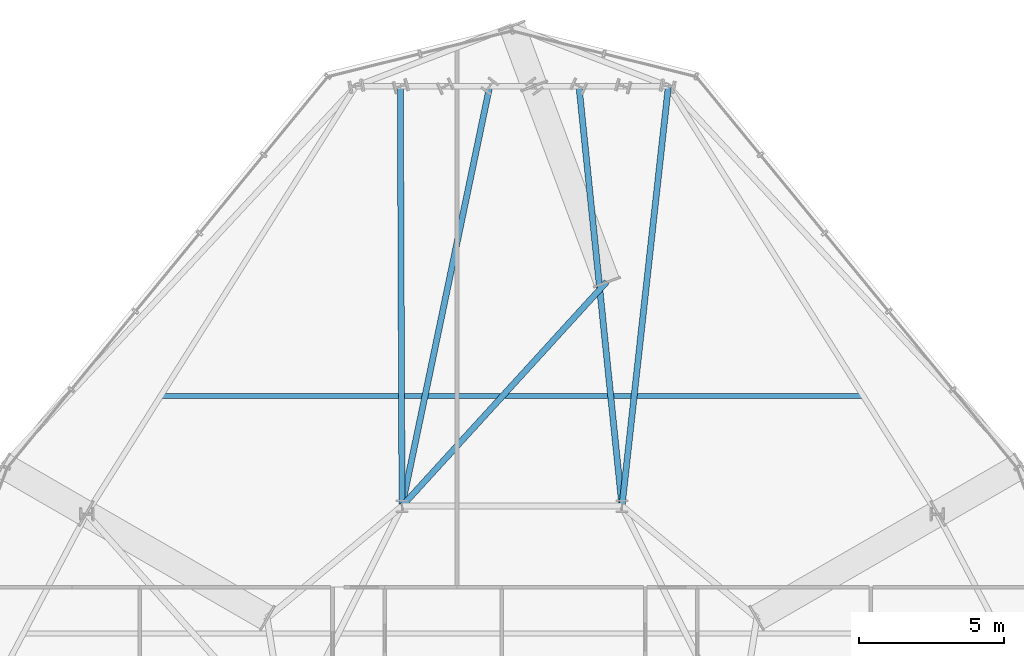
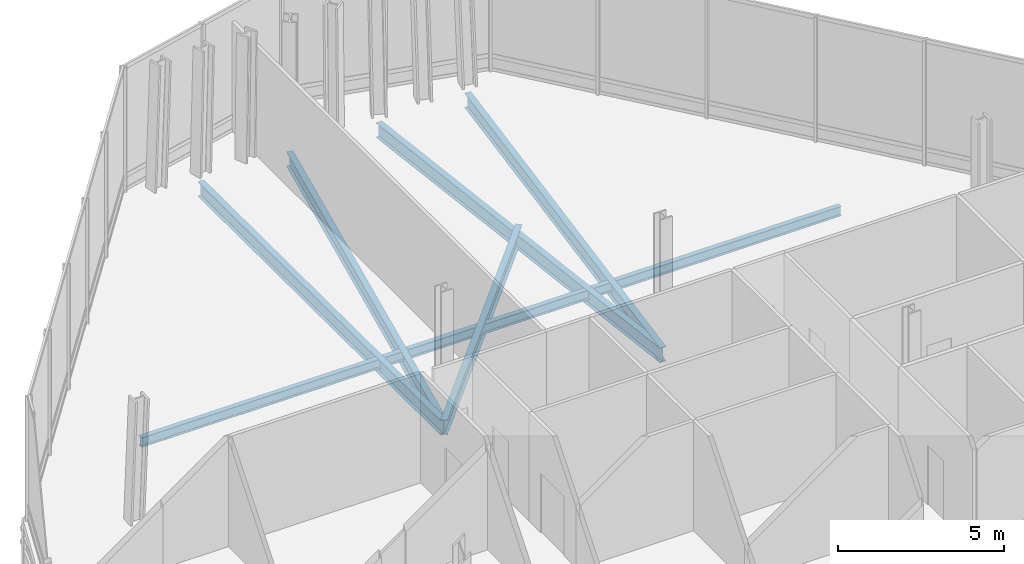
# One storey, part 16 of 26: 6 beams.
"""IFC4 building model written with IfcOpenShell, lengths in metres."""

from ifc_helpers import new_model, si_unit, direction, frame, origin, origin_2d, place, context, subcontext, project, spatial, i_section, extrude, material, material_profile, profile_set, type_object, element, save


model = new_model("IFC4")

# Units and contexts
model_context = context("Model", 3, precision=1e-05, world=origin(), true_north=direction((0.0, 1.0)))
body_context = subcontext(model_context, "Body", "Model", "MODEL_VIEW")
ifc_project = project(units=[si_unit("LENGTHUNIT", "METRE"), si_unit("AREAUNIT", "SQUARE_METRE"), si_unit("VOLUMEUNIT", "CUBIC_METRE"), si_unit("PLANEANGLEUNIT", "RADIAN"), si_unit("MASSUNIT", "GRAM", prefix="KILO")], contexts=[model_context])

# Site, building, storey
site_placement = place(None, origin())
site = spatial("IfcSite", under=ifc_project, at=site_placement, CompositionType="ELEMENT")
building_placement = place(site_placement, origin())
building = spatial("IfcBuilding", under=site, at=building_placement, Name="Ndaravel Arena Tower", CompositionType="ELEMENT")
storey_placement = place(building_placement, frame((0.0, 0.0, 122.199951171875)))
storey = spatial("IfcBuildingStorey", under=building, at=storey_placement, Name="L28", CompositionType="ELEMENT", Elevation=122.199951171875)

# Beams
ifc_material_1 = material(Name="Steel S355", Category="steel")
ifc_material_profile_1 = material_profile(ifc_material_1, i_section(OverallWidth=0.210693359375, OverallDepth=0.53955078125, WebThickness=0.01171875, FlangeThickness=0.018798828125, FilletRadius=0.0126953125, at=origin_2d()), Name="UB 533x210x109")
ifc_profile_set_1 = profile_set([ifc_material_profile_1], Name="Steel S355")
beam_type_1 = type_object("IfcBeamType", Name="BM-GIRD-UB533", PredefinedType="BEAM", material=ifc_profile_set_1)
beam_1_placement = place(storey_placement, frame((47.401611328125, 45.7041015625, -0.5498046875), z_axis=(-0.1097539039, -0.993958792193, 0.0), x_axis=(0.993958792193, -0.1097539039, 0.0)))
element("IfcBeam", 1, at=beam_1_placement, inside=storey, type_object=beam_type_1, Name="L28 Radial Floor Girder FG-11", PredefinedType="BEAM", context=body_context, shape_type="SweptSolid", body=[
    extrude(i_section(OverallWidth=0.210693359375, OverallDepth=0.53955078125, WebThickness=0.01171875, FlangeThickness=0.018798828125, FilletRadius=0.0126953125, at=origin_2d()), origin(), (0.0, 0.0, 1.0), 14.59228515625),
])
beam_2_placement = place(storey_placement, frame((44.31494140625, 45.7041015625, -0.5498046875), z_axis=(0.101859333982, -0.994798811861, 0.0), x_axis=(0.994798811861, 0.101859333982, 0.0)))
element("IfcBeam", 2, at=beam_2_placement, inside=storey, type_object=beam_type_1, Name="L28 Radial Floor Girder FG-13", PredefinedType="BEAM", context=body_context, shape_type="SweptSolid", body=[
    extrude(i_section(OverallWidth=0.210693359375, OverallDepth=0.53955078125, WebThickness=0.01171875, FlangeThickness=0.018798828125, FilletRadius=0.0126953125, at=origin_2d()), origin(), (0.0, 0.0, 1.0), 14.580078125),
])
beam_3_placement = place(storey_placement, frame((41.228271484375, 45.7041015625, -0.5498046875), z_axis=(-0.204382585692, -0.978891086212, 0.0), x_axis=(0.978891086212, -0.204382585692, 0.0)))
element("IfcBeam", 3, at=beam_3_placement, inside=storey, type_object=beam_type_1, Name="L28 Radial Floor Girder FG-15", PredefinedType="BEAM", context=body_context, shape_type="SweptSolid", body=[
    extrude(i_section(OverallWidth=0.210693359375, OverallDepth=0.53955078125, WebThickness=0.01171875, FlangeThickness=0.018798828125, FilletRadius=0.0126953125, at=origin_2d()), origin(), (0.0, 0.0, 1.0), 14.81689453125),
])
beam_4_placement = place(storey_placement, frame((38.1416015625, 45.7041015625, -0.5498046875), z_axis=(0.00402292693, -0.999991907997, 0.0), x_axis=(0.999991907997, 0.00402292693, 0.0)))
element("IfcBeam", 4, at=beam_4_placement, inside=storey, type_object=beam_type_1, Name="L28 Radial Floor Girder FG-17", PredefinedType="BEAM", context=body_context, shape_type="SweptSolid", body=[
    extrude(i_section(OverallWidth=0.210693359375, OverallDepth=0.53955078125, WebThickness=0.01171875, FlangeThickness=0.018798828125, FilletRadius=0.0126953125, at=origin_2d()), origin(), (0.0, 0.0, 1.0), 14.504150390625),
])
beam_5_placement = place(storey_placement, frame((45.276123046875, 38.95361328125, -0.5498046875), z_axis=(-0.674100044917, -0.738640054047, 0.0), x_axis=(0.738640054047, -0.674100044917, 0.0)))
element("IfcBeam", 5, at=beam_5_placement, inside=storey, type_object=beam_type_1, Name="L28 Star Backspan Anchor Tie SAT2-5", PredefinedType="BEAM", context=body_context, shape_type="SweptSolid", body=[
    extrude(i_section(OverallWidth=0.210693359375, OverallDepth=0.53955078125, WebThickness=0.01171875, FlangeThickness=0.018798828125, FilletRadius=0.0126953125, at=origin_2d()), origin(), (0.0, 0.0, 1.0), 10.497314453125),
])
ifc_material_2 = material(Name="Steel S355", Category="steel")
ifc_material_profile_2 = material_profile(ifc_material_2, i_section(OverallWidth=0.172119140625, OverallDepth=0.35791015625, WebThickness=0.008056640625, FlangeThickness=0.012939453125, FilletRadius=0.01025390625, at=origin_2d()), Name="UB 356x171x57")
ifc_profile_set_2 = profile_set([ifc_material_profile_2], Name="Steel S355")
beam_type_2 = type_object("IfcBeamType", Name="BM-JOIST-UB356", PredefinedType="JOIST", material=ifc_profile_set_2)
beam_6_placement = place(storey_placement, frame((29.85888671875, 35.0, -0.458984375), z_axis=(1.0, 0.0, 0.0), x_axis=(0.0, 1.0, 0.0)))
element("IfcBeam", 6, at=beam_6_placement, inside=storey, type_object=beam_type_2, Name="L28 Composite Floor Joist FJ-03", PredefinedType="JOIST", context=body_context, shape_type="SweptSolid", body=[
    extrude(i_section(OverallWidth=0.172119140625, OverallDepth=0.35791015625, WebThickness=0.008056640625, FlangeThickness=0.012939453125, FilletRadius=0.01025390625, at=origin_2d()), origin(), (0.0, 0.0, 1.0), 24.2822265625),
])

save(model, "model.ifc")
